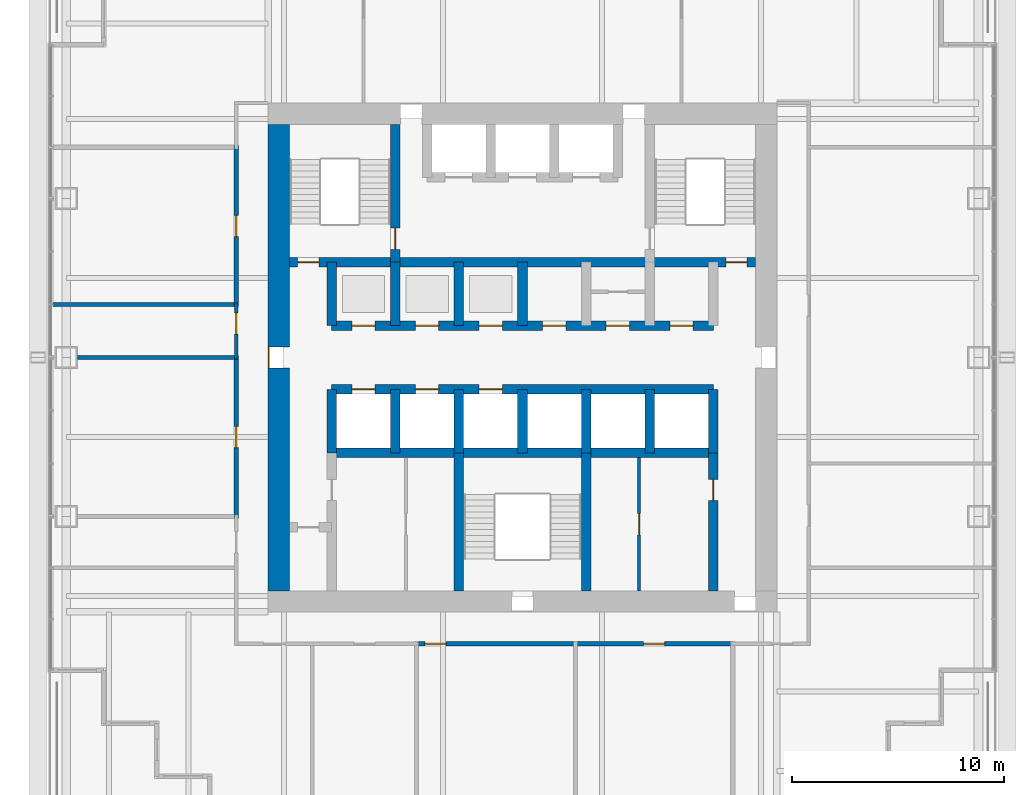
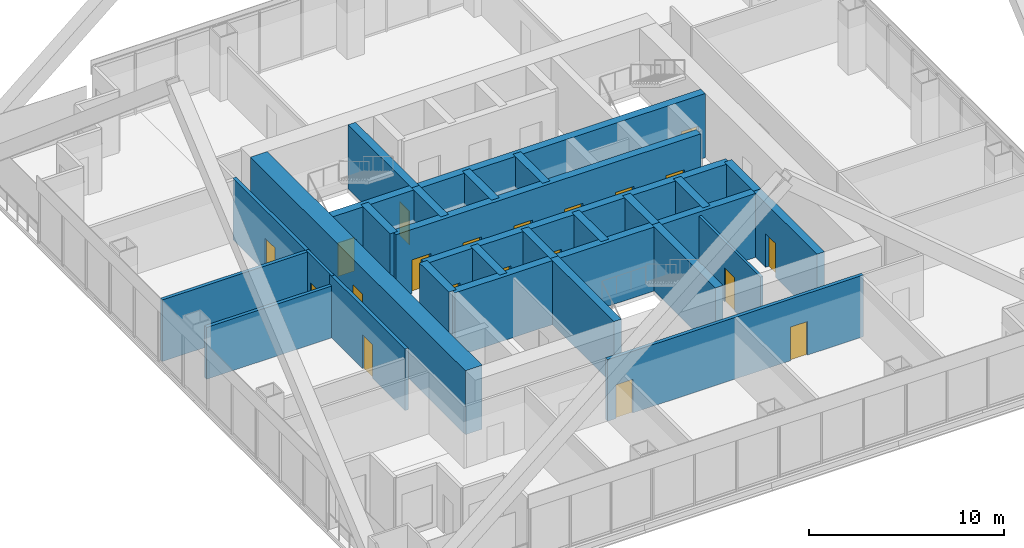
# One storey, part 9 of 14: 27 walls, 20 doors, 20 openings.
"""IFC4 building model written with IfcOpenShell, lengths in metres."""

from ifc_helpers import new_model, si_unit, direction, frame, frame_2d, origin, place, context, subcontext, project, spatial, rectangle, extrude, material, layer, layer_set, type_object, element, fill, save


model = new_model("IFC4")

# Units and contexts
model_context = context("Model", 3, precision=1e-05, world=origin(), true_north=direction((0.0, 1.0)))
body_context = subcontext(model_context, "Body", "Model", "MODEL_VIEW")
ifc_project = project(units=[si_unit("LENGTHUNIT", "METRE"), si_unit("AREAUNIT", "SQUARE_METRE"), si_unit("VOLUMEUNIT", "CUBIC_METRE"), si_unit("PLANEANGLEUNIT", "RADIAN"), si_unit("MASSUNIT", "GRAM", prefix="KILO")], contexts=[model_context])

# Site, building, storey
site_placement = place(None, origin())
site = spatial("IfcSite", under=ifc_project, at=site_placement, CompositionType="ELEMENT")
building_placement = place(site_placement, origin())
building = spatial("IfcBuilding", under=site, at=building_placement, Name="Tarangal Relay Tower", CompositionType="ELEMENT")
storey_placement = place(building_placement, frame((0.0, 0.0, 177.89990234375)))
storey = spatial("IfcBuildingStorey", under=building, at=storey_placement, Name="L36", CompositionType="ELEMENT", Elevation=177.89990234375)

# Wall, openings, doors
ifc_material_1 = material(Name="Two layers gypsum board each side on twin steel studs, mineral wool", Category="steel")
ifc_layer_1 = layer(ifc_material_1, 0.199951171875)
ifc_layer_set_1 = layer_set([ifc_layer_1], Name="Acoustic partition 200")
wall_type_1 = type_object("IfcWallType", Name="Acoustic partition 200", PredefinedType="PARTITIONING", material=ifc_layer_set_1)
wall_1_placement = place(storey_placement, frame((-5.10009765625, -13.5, 0.0), z_axis=(0.0, 0.0, 1.0), x_axis=(1.0, 0.0, 0.0)))
wall_1 = element("IfcWall", 1, at=wall_1_placement, inside=storey, type_object=wall_type_1, Name="Partition PT2 L36", PredefinedType="PARTITIONING", context=body_context, shape_type="SweptSolid", body=[
    extrude(rectangle(XDim=15.1171875, YDim=0.199951171875, at=frame_2d((7.55859375, 0.0))), origin(), (0.0, 0.0, 1.0), 3.85009765625),
])
opening_1_placement = place(wall_1_placement, frame((10.80859375, 0.0, 0.0)))
opening_1 = element("IfcOpeningElement", 2, at=opening_1_placement, cuts=wall_1, Name="Opening D2", PredefinedType="OPENING", context=body_context, shape_type="SweptSolid", body=[
    extrude(rectangle(XDim=1.0, YDim=2.10009765625, at=frame_2d((0.5, 1.050048828125))), frame((0.0, 0.10986328125, 0.0), z_axis=(0.0, -1.0, 0.0), x_axis=(1.0, 0.0, 0.0)), (0.0, 0.0, 1.0), 0.219970703125),
])
opening_2_placement = place(wall_1_placement, frame((0.5, 0.0, 0.0)))
opening_2 = element("IfcOpeningElement", 3, at=opening_2_placement, cuts=wall_1, Name="Opening D2", PredefinedType="OPENING", context=body_context, shape_type="SweptSolid", body=[
    extrude(rectangle(XDim=1.0, YDim=2.10009765625, at=frame_2d((0.5, 1.050048828125))), frame((0.0, 0.10986328125, 0.0), z_axis=(0.0, -1.0, 0.0), x_axis=(1.0, 0.0, 0.0)), (0.0, 0.0, 1.0), 0.219970703125),
])
ifc_material_2 = material(Name="Hardwood door", Category="wood")
door_type_1 = type_object("IfcDoorType", Name="Door 1000 x 2100", OperationType="SINGLE_SWING_LEFT", PredefinedType="DOOR", material=ifc_material_2)
door_1_placement = place(opening_1_placement, origin())
door_1 = element("IfcDoor", 4, at=door_1_placement, inside=storey, type_object=door_type_1, Name="Door D2 to training room L36-05", OperationType="SINGLE_SWING_LEFT", OverallHeight=2.10009765625, OverallWidth=1.0, PredefinedType="DOOR", context=body_context, shape_type="SweptSolid", body=[
    extrude(rectangle(XDim=1.0, YDim=2.10009765625, at=frame_2d((0.5, 1.050048828125))), frame((0.0, 0.02490234375, 0.0), z_axis=(0.0, -1.0, 0.0), x_axis=(1.0, 0.0, 0.0)), (0.0, 0.0, 1.0), 0.050048828125),
])
fill(opening_1, door_1)
door_2_placement = place(opening_2_placement, origin())
door_2 = element("IfcDoor", 5, at=door_2_placement, inside=storey, type_object=door_type_1, Name="Door D2 to conference room L36-06", OperationType="SINGLE_SWING_LEFT", OverallHeight=2.10009765625, OverallWidth=1.0, PredefinedType="DOOR", context=body_context, shape_type="SweptSolid", body=[
    extrude(rectangle(XDim=1.0, YDim=2.10009765625, at=frame_2d((0.5, 1.050048828125))), frame((0.0, 0.02490234375, 0.0), z_axis=(0.0, -1.0, 0.0), x_axis=(1.0, 0.0, 0.0)), (0.0, 0.0, 1.0), 0.050048828125),
])
fill(opening_2, door_2)

# Walls
wall_2_placement = place(storey_placement, frame((-20.989990234375, 0.0, 0.0), z_axis=(0.0, 0.0, 1.0), x_axis=(1.0, 0.0, 0.0)))
element("IfcWall", 6, at=wall_2_placement, inside=storey, type_object=wall_type_1, Name="Partition PT2 L36", PredefinedType="PARTITIONING", context=body_context, shape_type="SweptSolid", body=[
    extrude(rectangle(XDim=7.590087890625, YDim=0.199951171875, at=frame_2d((3.794921875, 0.0))), origin(), (0.0, 0.0, 1.0), 3.238037109375),
])
wall_3_placement = place(storey_placement, frame((-22.14990234375, 2.5, 0.0), z_axis=(0.0, 0.0, 1.0), x_axis=(1.0, 0.0, 0.0)))
element("IfcWall", 7, at=wall_3_placement, inside=storey, type_object=wall_type_1, Name="Partition PT2 L36", PredefinedType="PARTITIONING", context=body_context, shape_type="SweptSolid", body=[
    extrude(rectangle(XDim=8.75, YDim=0.199951171875, at=frame_2d((4.375, 0.0))), origin(), (0.0, 0.0, 1.0), 3.85009765625),
])

# Wall, opening, door
wall_4_placement = place(storey_placement, frame((-13.5, -7.60009765625, 0.0), z_axis=(0.0, 0.0, 1.0), x_axis=(0.0, 1.0, 0.0)))
wall_4 = element("IfcWall", 8, at=wall_4_placement, inside=storey, type_object=wall_type_1, Name="Partition PT2 L36", PredefinedType="PARTITIONING", context=body_context, shape_type="SweptSolid", body=[
    extrude(rectangle(XDim=7.7001953125, YDim=0.199951171875, at=frame_2d((3.85009765625, 0.0))), origin(), (0.0, 0.0, 1.0), 3.85009765625),
])
opening_3_placement = place(wall_4_placement, frame((3.35009765625, 0.0, 0.0)))
opening_3 = element("IfcOpeningElement", 9, at=opening_3_placement, cuts=wall_4, Name="Opening D2", PredefinedType="OPENING", context=body_context, shape_type="SweptSolid", body=[
    extrude(rectangle(XDim=1.0, YDim=2.10009765625, at=frame_2d((0.5, 1.050048828125))), frame((0.0, 0.10986328125, 0.0), z_axis=(0.0, -1.0, 0.0), x_axis=(1.0, 0.0, 0.0)), (0.0, 0.0, 1.0), 0.219970703125),
])
door_3_placement = place(opening_3_placement, origin())
door_3 = element("IfcDoor", 10, at=door_3_placement, inside=storey, type_object=door_type_1, Name="Door D2 to prayer room for men L36-09", OperationType="SINGLE_SWING_LEFT", OverallHeight=2.10009765625, OverallWidth=1.0, PredefinedType="DOOR", context=body_context, shape_type="SweptSolid", body=[
    extrude(rectangle(XDim=1.0, YDim=2.10009765625, at=frame_2d((0.5, 1.050048828125))), frame((0.0, 0.02490234375, 0.0), z_axis=(0.0, -1.0, 0.0), x_axis=(1.0, 0.0, 0.0)), (0.0, 0.0, 1.0), 0.050048828125),
])
fill(opening_3, door_3)

wall_5_placement = place(storey_placement, frame((-13.5, 2.39990234375, 0.0), z_axis=(0.0, 0.0, 1.0), x_axis=(0.0, 1.0, 0.0)))
wall_5 = element("IfcWall", 11, at=wall_5_placement, inside=storey, type_object=wall_type_1, Name="Partition PT2 L36", PredefinedType="PARTITIONING", context=body_context, shape_type="SweptSolid", body=[
    extrude(rectangle(XDim=7.6171875, YDim=0.199951171875, at=frame_2d((3.80859375, 0.0))), origin(), (0.0, 0.0, 1.0), 3.85009765625),
])
opening_4_placement = place(wall_5_placement, frame((3.30859375, 0.0, 0.0)))
opening_4 = element("IfcOpeningElement", 12, at=opening_4_placement, cuts=wall_5, Name="Opening D2", PredefinedType="OPENING", context=body_context, shape_type="SweptSolid", body=[
    extrude(rectangle(XDim=1.0, YDim=2.10009765625, at=frame_2d((0.5, 1.050048828125))), frame((0.0, 0.10986328125, 0.0), z_axis=(0.0, -1.0, 0.0), x_axis=(1.0, 0.0, 0.0)), (0.0, 0.0, 1.0), 0.219970703125),
])
door_4_placement = place(opening_4_placement, origin())
door_4 = element("IfcDoor", 13, at=door_4_placement, inside=storey, type_object=door_type_1, Name="Door D2 to prayer room for women L36-11", OperationType="SINGLE_SWING_LEFT", OverallHeight=2.10009765625, OverallWidth=1.0, PredefinedType="DOOR", context=body_context, shape_type="SweptSolid", body=[
    extrude(rectangle(XDim=1.0, YDim=2.10009765625, at=frame_2d((0.5, 1.050048828125))), frame((0.0, 0.02490234375, 0.0), z_axis=(0.0, -1.0, 0.0), x_axis=(1.0, 0.0, 0.0)), (0.0, 0.0, 1.0), 0.050048828125),
])
fill(opening_4, door_4)

# Wall, openings, doors
ifc_material_3 = material(Name="Concrete fc' 60 MPa", Category="concrete")
ifc_layer_2 = layer(ifc_material_3, 0.449951171875)
ifc_layer_set_2 = layer_set([ifc_layer_2], Name="Core inner wall 450")
wall_type_2 = type_object("IfcWallType", Name="Core inner wall 450", PredefinedType="SHEAR", material=ifc_layer_set_2)
wall_6_placement = place(storey_placement, frame((-11.0, 4.5, 0.0), z_axis=(0.0, 0.0, 1.0), x_axis=(1.0, 0.0, 0.0)))
wall_6 = element("IfcWall", 14, at=wall_6_placement, inside=storey, type_object=wall_type_2, Name="Core wall Y45 L36", PredefinedType="SHEAR", context=body_context, shape_type="SweptSolid", body=[
    extrude(rectangle(XDim=22.0, YDim=0.449951171875, at=frame_2d((11.0, 0.0))), origin(), (0.0, 0.0, 1.0), 4.0),
])
opening_5_placement = place(wall_6_placement, frame((0.39990234375, 0.0, 0.0)))
opening_5 = element("IfcOpeningElement", 15, at=opening_5_placement, cuts=wall_6, Name="Opening FD1", PredefinedType="OPENING", context=body_context, shape_type="SweptSolid", body=[
    extrude(rectangle(XDim=1.0, YDim=2.10009765625, at=frame_2d((0.5, 1.050048828125))), frame((0.0, 0.23486328125, 0.0), z_axis=(0.0, -1.0, 0.0), x_axis=(1.0, 0.0, 0.0)), (0.0, 0.0, 1.0), 0.469970703125),
])
opening_6_placement = place(wall_6_placement, frame((20.60009765625, 0.0, 0.0)))
opening_6 = element("IfcOpeningElement", 16, at=opening_6_placement, cuts=wall_6, Name="Opening FD1", PredefinedType="OPENING", context=body_context, shape_type="SweptSolid", body=[
    extrude(rectangle(XDim=1.0, YDim=2.10009765625, at=frame_2d((0.5, 1.050048828125))), frame((0.0, 0.23486328125, 0.0), z_axis=(0.0, -1.0, 0.0), x_axis=(1.0, 0.0, 0.0)), (0.0, 0.0, 1.0), 0.469970703125),
])
ifc_material_4 = material(Name="Steel door with hardwood frame", Category="steel")
door_type_2 = type_object("IfcDoorType", Name="Fire door 1000 x 2100", OperationType="SINGLE_SWING_LEFT", PredefinedType="DOOR", material=ifc_material_4)
door_5_placement = place(opening_5_placement, origin())
door_5 = element("IfcDoor", 17, at=door_5_placement, inside=storey, type_object=door_type_2, Name="Stair ST-A door from corridor L36", OperationType="SINGLE_SWING_LEFT", OverallHeight=2.10009765625, OverallWidth=1.0, PredefinedType="DOOR", context=body_context, shape_type="SweptSolid", body=[
    extrude(rectangle(XDim=1.0, YDim=2.10009765625, at=frame_2d((0.5, 1.050048828125))), frame((0.0, 0.02490234375, 0.0), z_axis=(0.0, -1.0, 0.0), x_axis=(1.0, 0.0, 0.0)), (0.0, 0.0, 1.0), 0.050048828125),
])
fill(opening_5, door_5)
door_6_placement = place(opening_6_placement, origin())
door_6 = element("IfcDoor", 18, at=door_6_placement, inside=storey, type_object=door_type_2, Name="Stair ST-B door from corridor L36", OperationType="SINGLE_SWING_LEFT", OverallHeight=2.10009765625, OverallWidth=1.0, PredefinedType="DOOR", context=body_context, shape_type="SweptSolid", body=[
    extrude(rectangle(XDim=1.0, YDim=2.10009765625, at=frame_2d((0.5, 1.050048828125))), frame((0.0, 0.02490234375, 0.0), z_axis=(0.0, -1.0, 0.0), x_axis=(1.0, 0.0, 0.0)), (0.0, 0.0, 1.0), 0.050048828125),
])
fill(opening_6, door_6)

wall_7_placement = place(storey_placement, frame((-9.0, 1.5, 0.0), z_axis=(0.0, 0.0, 1.0), x_axis=(1.0, 0.0, 0.0)))
wall_7 = element("IfcWall", 19, at=wall_7_placement, inside=storey, type_object=wall_type_2, Name="Core wall Y15 L36", PredefinedType="SHEAR", context=body_context, shape_type="SweptSolid", body=[
    extrude(rectangle(XDim=18.0, YDim=0.449951171875, at=frame_2d((9.0, 0.0))), origin(), (0.0, 0.0, 1.0), 4.0),
])
opening_7_placement = place(wall_7_placement, frame((0.949951171875, 0.0, 0.0)))
opening_7 = element("IfcOpeningElement", 20, at=opening_7_placement, cuts=wall_7, Name="Opening LD1", PredefinedType="OPENING", context=body_context, shape_type="SweptSolid", body=[
    extrude(rectangle(XDim=1.10009765625, YDim=2.10009765625, at=frame_2d((0.550048828125, 1.050048828125))), frame((0.0, 0.23486328125, 0.0), z_axis=(0.0, -1.0, 0.0), x_axis=(1.0, 0.0, 0.0)), (0.0, 0.0, 1.0), 0.469970703125),
])
opening_8_placement = place(wall_7_placement, frame((3.949951171875, 0.0, 0.0)))
opening_8 = element("IfcOpeningElement", 21, at=opening_8_placement, cuts=wall_7, Name="Opening LD1", PredefinedType="OPENING", context=body_context, shape_type="SweptSolid", body=[
    extrude(rectangle(XDim=1.10009765625, YDim=2.10009765625, at=frame_2d((0.550048828125, 1.050048828125))), frame((0.0, 0.23486328125, 0.0), z_axis=(0.0, -1.0, 0.0), x_axis=(1.0, 0.0, 0.0)), (0.0, 0.0, 1.0), 0.469970703125),
])
opening_9_placement = place(wall_7_placement, frame((6.949951171875, 0.0, 0.0)))
opening_9 = element("IfcOpeningElement", 22, at=opening_9_placement, cuts=wall_7, Name="Opening LD1", PredefinedType="OPENING", context=body_context, shape_type="SweptSolid", body=[
    extrude(rectangle(XDim=1.10009765625, YDim=2.10009765625, at=frame_2d((0.550048828125, 1.050048828125))), frame((0.0, 0.23486328125, 0.0), z_axis=(0.0, -1.0, 0.0), x_axis=(1.0, 0.0, 0.0)), (0.0, 0.0, 1.0), 0.469970703125),
])
opening_10_placement = place(wall_7_placement, frame((9.949951171875, 0.0, 0.0)))
opening_10 = element("IfcOpeningElement", 23, at=opening_10_placement, cuts=wall_7, Name="Opening D4", PredefinedType="OPENING", context=body_context, shape_type="SweptSolid", body=[
    extrude(rectangle(XDim=1.10009765625, YDim=2.10009765625, at=frame_2d((0.550048828125, 1.050048828125))), frame((0.0, 0.23486328125, 0.0), z_axis=(0.0, -1.0, 0.0), x_axis=(1.0, 0.0, 0.0)), (0.0, 0.0, 1.0), 0.469970703125),
])
opening_11_placement = place(wall_7_placement, frame((12.949951171875, 0.0, 0.0)))
opening_11 = element("IfcOpeningElement", 24, at=opening_11_placement, cuts=wall_7, Name="Opening D4", PredefinedType="OPENING", context=body_context, shape_type="SweptSolid", body=[
    extrude(rectangle(XDim=1.10009765625, YDim=2.10009765625, at=frame_2d((0.550048828125, 1.050048828125))), frame((0.0, 0.23486328125, 0.0), z_axis=(0.0, -1.0, 0.0), x_axis=(1.0, 0.0, 0.0)), (0.0, 0.0, 1.0), 0.469970703125),
])
opening_12_placement = place(wall_7_placement, frame((15.949951171875, 0.0, 0.0)))
opening_12 = element("IfcOpeningElement", 25, at=opening_12_placement, cuts=wall_7, Name="Opening D4", PredefinedType="OPENING", context=body_context, shape_type="SweptSolid", body=[
    extrude(rectangle(XDim=1.10009765625, YDim=2.10009765625, at=frame_2d((0.550048828125, 1.050048828125))), frame((0.0, 0.23486328125, 0.0), z_axis=(0.0, -1.0, 0.0), x_axis=(1.0, 0.0, 0.0)), (0.0, 0.0, 1.0), 0.469970703125),
])
door_type_3 = type_object("IfcDoorType", Name="Core room door 1100 x 2100", OperationType="SINGLE_SWING_RIGHT", PredefinedType="DOOR", material=ifc_material_4)
door_7_placement = place(opening_10_placement, origin())
door_7 = element("IfcDoor", 26, at=door_7_placement, inside=storey, type_object=door_type_3, Name="Door D4 to staff wc L36-T1", OperationType="SINGLE_SWING_RIGHT", OverallHeight=2.10009765625, OverallWidth=1.10009765625, PredefinedType="DOOR", context=body_context, shape_type="SweptSolid", body=[
    extrude(rectangle(XDim=1.10009765625, YDim=2.10009765625, at=frame_2d((0.550048828125, 1.050048828125))), frame((0.0, 0.02490234375, 0.0), z_axis=(0.0, -1.0, 0.0), x_axis=(1.0, 0.0, 0.0)), (0.0, 0.0, 1.0), 0.050048828125),
])
fill(opening_10, door_7)
door_8_placement = place(opening_11_placement, origin())
door_8 = element("IfcDoor", 27, at=door_8_placement, inside=storey, type_object=door_type_3, Name="Door D4 to staff pantry L36-T2", OperationType="SINGLE_SWING_RIGHT", OverallHeight=2.10009765625, OverallWidth=1.10009765625, PredefinedType="DOOR", context=body_context, shape_type="SweptSolid", body=[
    extrude(rectangle(XDim=1.10009765625, YDim=2.10009765625, at=frame_2d((0.550048828125, 1.050048828125))), frame((0.0, 0.02490234375, 0.0), z_axis=(0.0, -1.0, 0.0), x_axis=(1.0, 0.0, 0.0)), (0.0, 0.0, 1.0), 0.050048828125),
])
fill(opening_11, door_8)
door_9_placement = place(opening_12_placement, origin())
door_9 = element("IfcDoor", 28, at=door_9_placement, inside=storey, type_object=door_type_3, Name="Door D4 to it room L36-T3", OperationType="SINGLE_SWING_RIGHT", OverallHeight=2.10009765625, OverallWidth=1.10009765625, PredefinedType="DOOR", context=body_context, shape_type="SweptSolid", body=[
    extrude(rectangle(XDim=1.10009765625, YDim=2.10009765625, at=frame_2d((0.550048828125, 1.050048828125))), frame((0.0, 0.02490234375, 0.0), z_axis=(0.0, -1.0, 0.0), x_axis=(1.0, 0.0, 0.0)), (0.0, 0.0, 1.0), 0.050048828125),
])
fill(opening_12, door_9)
door_type_4 = type_object("IfcDoorType", Name="Lift landing door 1100 x 2100", OperationType="SLIDING_TO_LEFT", PredefinedType="DOOR", material=ifc_material_4)
door_10_placement = place(opening_7_placement, origin())
door_10 = element("IfcDoor", 29, at=door_10_placement, inside=storey, type_object=door_type_4, Name="Lift OL1 landing door L36", OperationType="SLIDING_TO_LEFT", OverallHeight=2.10009765625, OverallWidth=1.10009765625, PredefinedType="DOOR", context=body_context, shape_type="SweptSolid", body=[
    extrude(rectangle(XDim=1.10009765625, YDim=2.10009765625, at=frame_2d((0.550048828125, 1.050048828125))), frame((0.0, 0.02490234375, 0.0), z_axis=(0.0, -1.0, 0.0), x_axis=(1.0, 0.0, 0.0)), (0.0, 0.0, 1.0), 0.050048828125),
])
fill(opening_7, door_10)
door_11_placement = place(opening_8_placement, origin())
door_11 = element("IfcDoor", 30, at=door_11_placement, inside=storey, type_object=door_type_4, Name="Lift OL2 landing door L36", OperationType="SLIDING_TO_LEFT", OverallHeight=2.10009765625, OverallWidth=1.10009765625, PredefinedType="DOOR", context=body_context, shape_type="SweptSolid", body=[
    extrude(rectangle(XDim=1.10009765625, YDim=2.10009765625, at=frame_2d((0.550048828125, 1.050048828125))), frame((0.0, 0.02490234375, 0.0), z_axis=(0.0, -1.0, 0.0), x_axis=(1.0, 0.0, 0.0)), (0.0, 0.0, 1.0), 0.050048828125),
])
fill(opening_8, door_11)
door_12_placement = place(opening_9_placement, origin())
door_12 = element("IfcDoor", 31, at=door_12_placement, inside=storey, type_object=door_type_4, Name="Lift OL3 landing door L36", OperationType="SLIDING_TO_LEFT", OverallHeight=2.10009765625, OverallWidth=1.10009765625, PredefinedType="DOOR", context=body_context, shape_type="SweptSolid", body=[
    extrude(rectangle(XDim=1.10009765625, YDim=2.10009765625, at=frame_2d((0.550048828125, 1.050048828125))), frame((0.0, 0.02490234375, 0.0), z_axis=(0.0, -1.0, 0.0), x_axis=(1.0, 0.0, 0.0)), (0.0, 0.0, 1.0), 0.050048828125),
])
fill(opening_9, door_12)

wall_8_placement = place(storey_placement, frame((-9.0, -1.5, 0.0), z_axis=(0.0, 0.0, 1.0), x_axis=(1.0, 0.0, 0.0)))
wall_8 = element("IfcWall", 32, at=wall_8_placement, inside=storey, type_object=wall_type_2, Name="Core wall YM15 L36", PredefinedType="SHEAR", context=body_context, shape_type="SweptSolid", body=[
    extrude(rectangle(XDim=18.0, YDim=0.449951171875, at=frame_2d((9.0, 0.0))), origin(), (0.0, 0.0, 1.0), 4.0),
])
opening_13_placement = place(wall_8_placement, frame((0.949951171875, 0.0, 0.0)))
opening_13 = element("IfcOpeningElement", 33, at=opening_13_placement, cuts=wall_8, Name="Opening LD1", PredefinedType="OPENING", context=body_context, shape_type="SweptSolid", body=[
    extrude(rectangle(XDim=1.10009765625, YDim=2.10009765625, at=frame_2d((0.550048828125, 1.050048828125))), frame((0.0, 0.23486328125, 0.0), z_axis=(0.0, -1.0, 0.0), x_axis=(1.0, 0.0, 0.0)), (0.0, 0.0, 1.0), 0.469970703125),
])
opening_14_placement = place(wall_8_placement, frame((3.949951171875, 0.0, 0.0)))
opening_14 = element("IfcOpeningElement", 34, at=opening_14_placement, cuts=wall_8, Name="Opening LD1", PredefinedType="OPENING", context=body_context, shape_type="SweptSolid", body=[
    extrude(rectangle(XDim=1.10009765625, YDim=2.10009765625, at=frame_2d((0.550048828125, 1.050048828125))), frame((0.0, 0.23486328125, 0.0), z_axis=(0.0, -1.0, 0.0), x_axis=(1.0, 0.0, 0.0)), (0.0, 0.0, 1.0), 0.469970703125),
])
opening_15_placement = place(wall_8_placement, frame((6.949951171875, 0.0, 0.0)))
opening_15 = element("IfcOpeningElement", 35, at=opening_15_placement, cuts=wall_8, Name="Opening LD1", PredefinedType="OPENING", context=body_context, shape_type="SweptSolid", body=[
    extrude(rectangle(XDim=1.10009765625, YDim=2.10009765625, at=frame_2d((0.550048828125, 1.050048828125))), frame((0.0, 0.23486328125, 0.0), z_axis=(0.0, -1.0, 0.0), x_axis=(1.0, 0.0, 0.0)), (0.0, 0.0, 1.0), 0.469970703125),
])
door_13_placement = place(opening_13_placement, origin())
door_13 = element("IfcDoor", 36, at=door_13_placement, inside=storey, type_object=door_type_4, Name="Lift S1 landing door L36", OperationType="SLIDING_TO_LEFT", OverallHeight=2.10009765625, OverallWidth=1.10009765625, PredefinedType="DOOR", context=body_context, shape_type="SweptSolid", body=[
    extrude(rectangle(XDim=1.10009765625, YDim=2.10009765625, at=frame_2d((0.550048828125, 1.050048828125))), frame((0.0, 0.02490234375, 0.0), z_axis=(0.0, -1.0, 0.0), x_axis=(1.0, 0.0, 0.0)), (0.0, 0.0, 1.0), 0.050048828125),
])
fill(opening_13, door_13)
door_14_placement = place(opening_14_placement, origin())
door_14 = element("IfcDoor", 37, at=door_14_placement, inside=storey, type_object=door_type_4, Name="Lift S2 landing door L36", OperationType="SLIDING_TO_LEFT", OverallHeight=2.10009765625, OverallWidth=1.10009765625, PredefinedType="DOOR", context=body_context, shape_type="SweptSolid", body=[
    extrude(rectangle(XDim=1.10009765625, YDim=2.10009765625, at=frame_2d((0.550048828125, 1.050048828125))), frame((0.0, 0.02490234375, 0.0), z_axis=(0.0, -1.0, 0.0), x_axis=(1.0, 0.0, 0.0)), (0.0, 0.0, 1.0), 0.050048828125),
])
fill(opening_14, door_14)
door_15_placement = place(opening_15_placement, origin())
door_15 = element("IfcDoor", 38, at=door_15_placement, inside=storey, type_object=door_type_4, Name="Lift S3 landing door L36", OperationType="SLIDING_TO_LEFT", OverallHeight=2.10009765625, OverallWidth=1.10009765625, PredefinedType="DOOR", context=body_context, shape_type="SweptSolid", body=[
    extrude(rectangle(XDim=1.10009765625, YDim=2.10009765625, at=frame_2d((0.550048828125, 1.050048828125))), frame((0.0, 0.02490234375, 0.0), z_axis=(0.0, -1.0, 0.0), x_axis=(1.0, 0.0, 0.0)), (0.0, 0.0, 1.0), 0.050048828125),
])
fill(opening_15, door_15)

# Walls
wall_9_placement = place(storey_placement, frame((-9.0, -4.5, 0.0), z_axis=(0.0, 0.0, 1.0), x_axis=(1.0, 0.0, 0.0)))
element("IfcWall", 39, at=wall_9_placement, inside=storey, type_object=wall_type_2, Name="Core wall YM45 L36", PredefinedType="SHEAR", context=body_context, shape_type="SweptSolid", body=[
    extrude(rectangle(XDim=18.0, YDim=0.449951171875, at=frame_2d((9.0, 0.0))), origin(), (0.0, 0.0, 1.0), 4.0),
])
for number, where, z_axis, x_axis, name in (
    (40, (-9.0, 1.5, 0.0), (0.0, 0.0, 1.0), (0.0, 1.0, 0.0), "Core wall XM9N L36"),
    (41, (-9.0, -4.5, 0.0), (0.0, 0.0, 1.0), (0.0, 1.0, 0.0), "Core wall XM9S L36"),
    (42, (9.0, -4.5, 0.0), (0.0, 0.0, 1.0), (0.0, 1.0, 0.0), "Core wall X9S L36"),
    (43, (-6.0, 1.5, 0.0), (0.0, 0.0, 1.0), (0.0, 1.0, 0.0), "Core wall XM6N L36"),
    (44, (-3.0, 1.5, 0.0), (0.0, 0.0, 1.0), (0.0, 1.0, 0.0), "Core wall XM3N L36"),
    (45, (0.0, 1.5, 0.0), (0.0, 0.0, 1.0), (0.0, 1.0, 0.0), "Core wall X0N L36"),
    (46, (-6.0, -4.5, 0.0), (0.0, 0.0, 1.0), (0.0, 1.0, 0.0), "Core wall XM6S L36"),
    (47, (-3.0, -4.5, 0.0), (0.0, 0.0, 1.0), (0.0, 1.0, 0.0), "Core wall XM3S L36"),
    (48, (0.0, -4.5, 0.0), (0.0, 0.0, 1.0), (0.0, 1.0, 0.0), "Core wall X0S L36"),
    (49, (3.0, -4.5, 0.0), (0.0, 0.0, 1.0), (0.0, 1.0, 0.0), "Core wall X3S L36"),
    (50, (6.0, -4.5, 0.0), (0.0, 0.0, 1.0), (0.0, 1.0, 0.0), "Core wall X6S L36"),
):
    element("IfcWall", number, at=place(storey_placement, frame(where, z_axis=z_axis, x_axis=x_axis)), inside=storey, type_object=wall_type_2, Name=name, PredefinedType="SHEAR", context=body_context, shape_type="SweptSolid", body=[
        extrude(rectangle(XDim=3.0, YDim=0.449951171875, at=frame_2d((1.5, 0.0))), origin(), (0.0, 0.0, 1.0), 4.0),
    ])

# Wall, opening, door
wall_10_placement = place(storey_placement, frame((-6.0, 4.5, 0.0), z_axis=(0.0, 0.0, 1.0), x_axis=(0.0, 1.0, 0.0)))
wall_10 = element("IfcWall", 51, at=wall_10_placement, inside=storey, type_object=wall_type_2, Name="Core wall XM6 L36", PredefinedType="SHEAR", context=body_context, shape_type="SweptSolid", body=[
    extrude(rectangle(XDim=6.5, YDim=0.449951171875, at=frame_2d((3.25, 0.0))), origin(), (0.0, 0.0, 1.0), 4.0),
])
opening_16_placement = place(wall_10_placement, frame((0.60009765625, 0.0, 0.0)))
opening_16 = element("IfcOpeningElement", 52, at=opening_16_placement, cuts=wall_10, Name="Opening FD1", PredefinedType="OPENING", context=body_context, shape_type="SweptSolid", body=[
    extrude(rectangle(XDim=1.0, YDim=2.10009765625, at=frame_2d((0.5, 1.050048828125))), frame((0.0, 0.23486328125, 0.0), z_axis=(0.0, -1.0, 0.0), x_axis=(1.0, 0.0, 0.0)), (0.0, 0.0, 1.0), 0.469970703125),
])
door_16_placement = place(opening_16_placement, origin())
door_16 = element("IfcDoor", 53, at=door_16_placement, inside=storey, type_object=door_type_2, Name="Stair ST-A door from fire-fighting lobby L36", OperationType="SINGLE_SWING_LEFT", OverallHeight=2.10009765625, OverallWidth=1.0, PredefinedType="DOOR", context=body_context, shape_type="SweptSolid", body=[
    extrude(rectangle(XDim=1.0, YDim=2.10009765625, at=frame_2d((0.5, 1.050048828125))), frame((0.0, 0.02490234375, 0.0), z_axis=(0.0, -1.0, 0.0), x_axis=(1.0, 0.0, 0.0)), (0.0, 0.0, 1.0), 0.050048828125),
])
fill(opening_16, door_16)

wall_11_placement = place(storey_placement, frame((9.0, -11.0, 0.0), z_axis=(0.0, 0.0, 1.0), x_axis=(0.0, 1.0, 0.0)))
wall_11 = element("IfcWall", 54, at=wall_11_placement, inside=storey, type_object=wall_type_2, Name="Core wall X9W L36", PredefinedType="SHEAR", context=body_context, shape_type="SweptSolid", body=[
    extrude(rectangle(XDim=6.5, YDim=0.449951171875, at=frame_2d((3.25, 0.0))), origin(), (0.0, 0.0, 1.0), 4.0),
])
opening_17_placement = place(wall_11_placement, frame((4.25, 0.0, 0.0)))
opening_17 = element("IfcOpeningElement", 55, at=opening_17_placement, cuts=wall_11, Name="Opening D1", PredefinedType="OPENING", context=body_context, shape_type="SweptSolid", body=[
    extrude(rectangle(XDim=1.0, YDim=2.10009765625, at=frame_2d((0.5, 1.050048828125))), frame((0.0, 0.23486328125, 0.0), z_axis=(0.0, -1.0, 0.0), x_axis=(1.0, 0.0, 0.0)), (0.0, 0.0, 1.0), 0.469970703125),
])
door_type_5 = type_object("IfcDoorType", Name="WC door 1000 x 2100", OperationType="SINGLE_SWING_LEFT", PredefinedType="DOOR", material=ifc_material_2)
door_17_placement = place(opening_17_placement, origin())
door_17 = element("IfcDoor", 56, at=door_17_placement, inside=storey, type_object=door_type_5, Name="Female WC door L36", OperationType="SINGLE_SWING_LEFT", OverallHeight=2.10009765625, OverallWidth=1.0, PredefinedType="DOOR", context=body_context, shape_type="SweptSolid", body=[
    extrude(rectangle(XDim=1.0, YDim=2.10009765625, at=frame_2d((0.5, 1.050048828125))), frame((0.0, 0.02490234375, 0.0), z_axis=(0.0, -1.0, 0.0), x_axis=(1.0, 0.0, 0.0)), (0.0, 0.0, 1.0), 0.050048828125),
])
fill(opening_17, door_17)

# Walls
for number, where, z_axis, x_axis, name in (
    (57, (-3.0, -11.0, 0.0), (0.0, 0.0, 1.0), (0.0, 1.0, 0.0), "Core wall XM3W L36"),
    (58, (3.0, -11.0, 0.0), (0.0, 0.0, 1.0), (0.0, 1.0, 0.0), "Core wall X3W L36"),
):
    element("IfcWall", number, at=place(storey_placement, frame(where, z_axis=z_axis, x_axis=x_axis)), inside=storey, type_object=wall_type_2, Name=name, PredefinedType="SHEAR", context=body_context, shape_type="SweptSolid", body=[
        extrude(rectangle(XDim=6.5, YDim=0.449951171875, at=frame_2d((3.25, 0.0))), origin(), (0.0, 0.0, 1.0), 4.0),
    ])

# Wall, opening, door
ifc_layer_3 = layer(ifc_material_3, 1.0)
ifc_layer_set_3 = layer_set([ifc_layer_3], Name="Core wall 1000")
wall_type_3 = type_object("IfcWallType", Name="Core wall 1000", PredefinedType="SHEAR", material=ifc_layer_set_3)
wall_12_placement = place(storey_placement, frame((-11.5, -11.0, 0.0), z_axis=(0.0, 0.0, 1.0), x_axis=(0.0, 1.0, 0.0)))
wall_12 = element("IfcWall", 59, at=wall_12_placement, inside=storey, type_object=wall_type_3, Name="Core wall W L36", PredefinedType="SHEAR", context=body_context, shape_type="SweptSolid", body=[
    extrude(rectangle(XDim=22.0, YDim=1.0, at=frame_2d((11.0, 0.0))), origin(), (0.0, 0.0, 1.0), 4.0),
])
opening_18_placement = place(wall_12_placement, frame((10.5, 0.0, 0.0)))
opening_18 = element("IfcOpeningElement", 60, at=opening_18_placement, cuts=wall_12, Name="Opening FD3", PredefinedType="OPENING", context=body_context, shape_type="SweptSolid", body=[
    extrude(rectangle(XDim=1.0, YDim=2.39990234375, at=frame_2d((0.5, 1.199951171875))), frame((0.0, 0.510009765625, 0.0), z_axis=(0.0, -1.0, 0.0), x_axis=(1.0, 0.0, 0.0)), (0.0, 0.0, 1.0), 1.02001953125),
])
door_type_6 = type_object("IfcDoorType", Name="Fire door 1000 x 2400 core entry", OperationType="SINGLE_SWING_RIGHT", PredefinedType="DOOR", material=ifc_material_4)
door_18_placement = place(opening_18_placement, origin())
door_18 = element("IfcDoor", 61, at=door_18_placement, inside=storey, type_object=door_type_6, Name="Core entry door west L36", OperationType="SINGLE_SWING_RIGHT", OverallHeight=2.39990234375, OverallWidth=1.0, PredefinedType="DOOR", context=body_context, shape_type="SweptSolid", body=[
    extrude(rectangle(XDim=1.0, YDim=2.39990234375, at=frame_2d((0.5, 1.199951171875))), frame((0.0, 0.48486328125, 0.0), z_axis=(0.0, -1.0, 0.0), x_axis=(1.0, 0.0, 0.0)), (0.0, 0.0, 1.0), 0.050048828125),
])
fill(opening_18, door_18)

ifc_material_5 = material(Name="Gypsum board on steel studs", Category="steel")
ifc_layer_4 = layer(ifc_material_5, 0.14990234375)
ifc_layer_set_4 = layer_set([ifc_layer_4], Name="Partition 150")
wall_type_4 = type_object("IfcWallType", Name="Partition 150", PredefinedType="PARTITIONING", material=ifc_layer_set_4)
wall_13_placement = place(storey_placement, frame((-13.5, -0.074951171875, 0.0), z_axis=(0.0, 0.0, 1.0), x_axis=(0.0, 1.0, 0.0)))
wall_13 = element("IfcWall", 62, at=wall_13_placement, inside=storey, type_object=wall_type_4, Name="Partition PT1 L36", PredefinedType="PARTITIONING", context=body_context, shape_type="SweptSolid", body=[
    extrude(rectangle(XDim=2.64990234375, YDim=0.14990234375, at=frame_2d((1.324951171875, 0.0))), origin(), (0.0, 0.0, 1.0), 3.85009765625),
])
opening_19_placement = place(wall_13_placement, frame((1.175048828125, 0.0, 0.0)))
opening_19 = element("IfcOpeningElement", 63, at=opening_19_placement, cuts=wall_13, Name="Opening D1", PredefinedType="OPENING", context=body_context, shape_type="SweptSolid", body=[
    extrude(rectangle(XDim=1.0, YDim=2.10009765625, at=frame_2d((0.5, 1.050048828125))), frame((0.0, 0.0849609375, 0.0), z_axis=(0.0, -1.0, 0.0), x_axis=(1.0, 0.0, 0.0)), (0.0, 0.0, 1.0), 0.169921875),
])
door_19_placement = place(opening_19_placement, origin())
door_19 = element("IfcDoor", 64, at=door_19_placement, inside=storey, type_object=door_type_5, Name="Door D1 to ablution room for women L36-10", OperationType="SINGLE_SWING_LEFT", OverallHeight=2.10009765625, OverallWidth=1.0, PredefinedType="DOOR", context=body_context, shape_type="SweptSolid", body=[
    extrude(rectangle(XDim=1.0, YDim=2.10009765625, at=frame_2d((0.5, 1.050048828125))), frame((0.0, 0.02490234375, 0.0), z_axis=(0.0, -1.0, 0.0), x_axis=(1.0, 0.0, 0.0)), (0.0, 0.0, 1.0), 0.050048828125),
])
fill(opening_19, door_19)

wall_14_placement = place(storey_placement, frame((5.5, -11.0, 0.0), z_axis=(0.0, 0.0, 1.0), x_axis=(0.0, 1.0, 0.0)))
wall_14 = element("IfcWall", 65, at=wall_14_placement, inside=storey, type_object=wall_type_4, Name="Partition PT1 L36", PredefinedType="PARTITIONING", context=body_context, shape_type="SweptSolid", body=[
    extrude(rectangle(XDim=6.27490234375, YDim=0.14990234375, at=frame_2d((3.137451171875, 0.0))), origin(), (0.0, 0.0, 1.0), 3.75),
])
opening_20_placement = place(wall_14_placement, frame((2.637451171875, 0.0, 0.0)))
opening_20 = element("IfcOpeningElement", 66, at=opening_20_placement, cuts=wall_14, Name="Opening D1", PredefinedType="OPENING", context=body_context, shape_type="SweptSolid", body=[
    extrude(rectangle(XDim=1.0, YDim=2.10009765625, at=frame_2d((0.5, 1.050048828125))), frame((0.0, 0.0849609375, 0.0), z_axis=(0.0, -1.0, 0.0), x_axis=(1.0, 0.0, 0.0)), (0.0, 0.0, 1.0), 0.169921875),
])
door_20_placement = place(opening_20_placement, origin())
door_20 = element("IfcDoor", 67, at=door_20_placement, inside=storey, type_object=door_type_5, Name="Door D1 to female shower and changing room L36-C10B", OperationType="SINGLE_SWING_LEFT", OverallHeight=2.10009765625, OverallWidth=1.0, PredefinedType="DOOR", context=body_context, shape_type="SweptSolid", body=[
    extrude(rectangle(XDim=1.0, YDim=2.10009765625, at=frame_2d((0.5, 1.050048828125))), frame((0.0, 0.02490234375, 0.0), z_axis=(0.0, -1.0, 0.0), x_axis=(1.0, 0.0, 0.0)), (0.0, 0.0, 1.0), 0.050048828125),
])
fill(opening_20, door_20)

save(model, "model.ifc")
